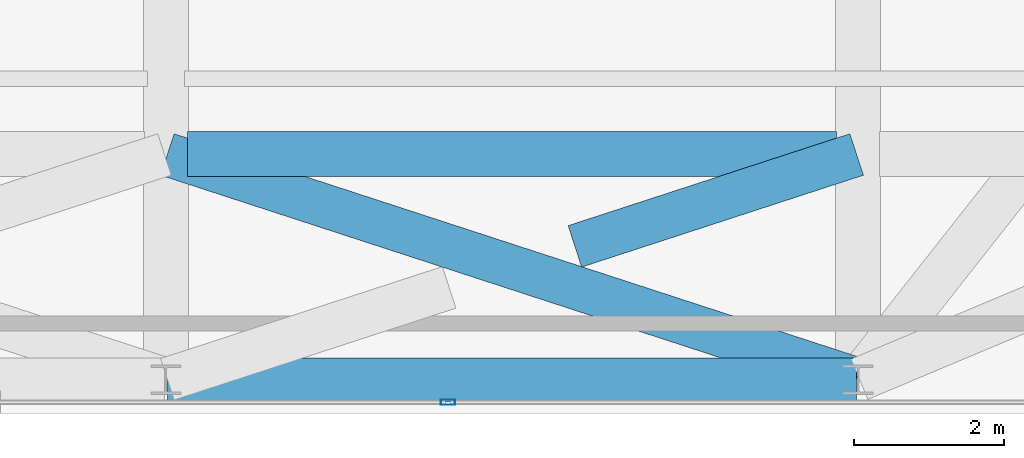
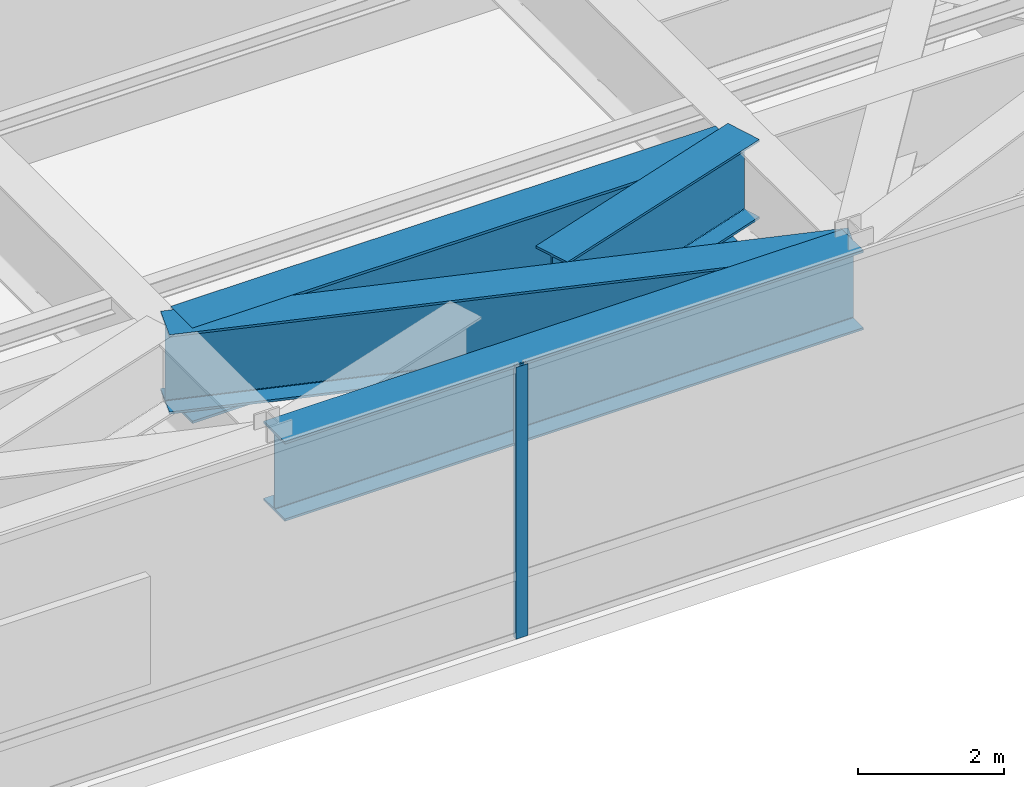
# One storey, part 12 of 32: 4 beams, 1 member, 1 element without a shape of its own.
"""IFC4 building model written with IfcOpenShell, lengths in metres."""

from ifc_helpers import new_model, si_unit, direction, frame, origin, origin_2d, place, context, subcontext, project, spatial, hollow_rectangle, i_section, extrude, source, transform, mapped, material, layer, layer_set, material_profile, profile_set, type_object, type_shapes, element, aggregate, save


model = new_model("IFC4")

# Units and contexts
model_context = context("Model", 3, precision=1e-05, world=origin(), true_north=direction((0.0, 1.0)))
body_context = subcontext(model_context, "Body", "Model", "MODEL_VIEW")
ifc_project = project(units=[si_unit("LENGTHUNIT", "METRE"), si_unit("AREAUNIT", "SQUARE_METRE"), si_unit("VOLUMEUNIT", "CUBIC_METRE"), si_unit("PLANEANGLEUNIT", "RADIAN"), si_unit("MASSUNIT", "GRAM", prefix="KILO")], contexts=[model_context])

# Site, building, storey
site_placement = place(None, origin())
site = spatial("IfcSite", under=ifc_project, at=site_placement, CompositionType="ELEMENT")
building_placement = place(site_placement, origin())
building = spatial("IfcBuilding", under=site, at=building_placement, Name="Varnel Quay Broadcast Tower", CompositionType="ELEMENT")
storey_placement = place(building_placement, frame((0.0, 0.0, 141.0)))
storey = spatial("IfcBuildingStorey", under=building, at=storey_placement, Name="L34", CompositionType="ELEMENT", Elevation=141.0)

# Beams
ifc_material_1 = material(Name="Structural Steel CSA G40.21 350WT", Category="steel")
ifc_material_profile_1 = material_profile(ifc_material_1, i_section(OverallWidth=0.580078125, OverallDepth=1.330078125, WebThickness=0.02197265625, FlangeThickness=0.0380859375, FilletRadius=0.02001953125, at=origin_2d()), Name="WWF1330X535")
ifc_profile_set_1 = profile_set([ifc_material_profile_1], Name="Structural Steel CSA G40.21 350WT")
beam_type_1 = type_object("IfcBeamType", Name="Girder_WWF1330X535", PredefinedType="BEAM", material=ifc_profile_set_1)
shared_shape_1 = source(origin(), body_context, "Body", "SweptSolid", [
    extrude(i_section(OverallWidth=0.580078125, OverallDepth=1.330078125, WebThickness=0.02197265625, FlangeThickness=0.0380859375, FilletRadius=0.02001953125, at=origin_2d()), origin(), (0.0, 0.0, 1.0), 9.159912109375),
])
beam_1_placement = place(storey_placement, frame((43.219970703125, 4.64990234375, 3.885009765625), z_axis=(1.0, 0.0, 0.0), x_axis=(0.0, 1.0, 0.0)))
element("IfcBeam", 1, at=beam_1_placement, inside=storey, type_object=beam_type_1, Name="L34 Perimeter Transfer Spine TC-S4-TC-S5", PredefinedType="BEAM", context=body_context, shape_type="MappedRepresentation", body=[
    mapped(shared_shape_1, transform((0.0, 0.0, 0.0), x_axis=(1.0, 0.0, 0.0), y_axis=(0.0, 1.0, 0.0), z_axis=(0.0, 0.0, 1.0), scale=1.0)),
])
ifc_material_profile_2 = material_profile(ifc_material_1, i_section(OverallWidth=0.60009765625, OverallDepth=1.60009765625, WebThickness=0.02392578125, FlangeThickness=0.0419921875, FilletRadius=0.02197265625, at=origin_2d()), Name="WWF1600X620")
ifc_profile_set_2 = profile_set([ifc_material_profile_2], Name="Structural Steel CSA G40.21 350WT")
beam_type_2 = type_object("IfcBeamType", Name="Girder_WWF1600X620", PredefinedType="BEAM", material=ifc_profile_set_2)
shared_shape_2 = source(origin(), body_context, "Body", "SweptSolid", [
    extrude(i_section(OverallWidth=0.60009765625, OverallDepth=1.60009765625, WebThickness=0.02392578125, FlangeThickness=0.0419921875, FilletRadius=0.02197265625, at=origin_2d()), origin(), (0.0, 0.0, 1.0), 8.6298828125),
])
type_shapes(beam_type_2, [shared_shape_2])
beam_2_placement = place(storey_placement, frame((43.485107421875, 7.64990234375, 3.75), z_axis=(1.0, 0.0, 0.0), x_axis=(0.0, 1.0, 0.0)))
element("IfcBeam", 2, at=beam_2_placement, inside=storey, type_object=beam_type_2, Name="L34 Setback South Transfer Header 5", PredefinedType="BEAM", context=body_context, shape_type="MappedRepresentation", body=[
    mapped(shared_shape_2, transform((0.0, 0.0, 0.0), x_axis=(1.0, 0.0, 0.0), y_axis=(0.0, 1.0, 0.0), z_axis=(0.0, 0.0, 1.0), scale=1.0)),
])
shared_shape_3 = source(origin(), body_context, "Body", "SweptSolid", [
    extrude(i_section(OverallWidth=0.580078125, OverallDepth=1.330078125, WebThickness=0.02197265625, FlangeThickness=0.0380859375, FilletRadius=0.02001953125, at=origin_2d()), origin(), (0.0, 0.0, 1.0), 9.636962890625),
])
beam_3_placement = place(storey_placement, frame((52.381103515625, 4.65625, 3.885009765625), z_axis=(-0.95073276134, 0.310011639323, 0.0), x_axis=(-0.310011639323, -0.95073276134, 0.0)))
element("IfcBeam", 3, at=beam_3_placement, inside=storey, type_object=beam_type_1, Name="L34 X-Braced Transfer Tie TC-S4-TC-S5", PredefinedType="BEAM", context=body_context, shape_type="MappedRepresentation", body=[
    mapped(shared_shape_3, transform((0.0, 0.0, 0.0), x_axis=(1.0, 0.0, 0.0), y_axis=(0.0, 1.0, 0.0), z_axis=(0.0, 0.0, 1.0), scale=1.0)),
])
shared_shape_4 = source(origin(), body_context, "Body", "SweptSolid", [
    extrude(i_section(OverallWidth=0.580078125, OverallDepth=1.330078125, WebThickness=0.02197265625, FlangeThickness=0.0380859375, FilletRadius=0.02001953125, at=origin_2d()), origin(), (0.0, 0.0, 1.0), 3.939453125),
])
type_shapes(beam_type_1, [shared_shape_1, shared_shape_3, shared_shape_4])
beam_4_placement = place(storey_placement, frame((48.6357421875, 6.422607421875, 3.885009765625), z_axis=(0.950738972318, 0.309992591065, 0.0), x_axis=(-0.309992591065, 0.950738972318, 0.0)))
element("IfcBeam", 4, at=beam_4_placement, inside=storey, type_object=beam_type_1, Name="L34 X-Braced Transfer Tie TC-S5-TC-S4 Part 2", PredefinedType="BEAM", context=body_context, shape_type="MappedRepresentation", body=[
    mapped(shared_shape_4, transform((0.0, 0.0, 0.0), x_axis=(1.0, 0.0, 0.0), y_axis=(0.0, 1.0, 0.0), z_axis=(0.0, 0.0, 1.0), scale=1.0)),
])

# Curtain wall, member
ifc_material_2 = material(Name="Anodised Bronze Aluminium 6063-T6", Category="aluminium")
ifc_layer = layer(ifc_material_2, 0.18994140625, Name="Anodised Bronze Aluminium 6063-T6")
ifc_layer_set = layer_set([ifc_layer], Name="Anodised Bronze Aluminium 6063-T6")
curtain_wall_type = type_object("IfcCurtainWallType", Name="CW_LowerTower", PredefinedType="NOTDEFINED", material=ifc_layer_set)
curtain_wall_placement = place(storey_placement, origin())
curtain_wall = element("IfcCurtainWall", 5, at=curtain_wall_placement, inside=storey, type_object=curtain_wall_type, Name="L34 South Unitised Curtain Wall 1", PredefinedType="NOTDEFINED")
ifc_material_profile_3 = material_profile(ifc_material_2, hollow_rectangle(XDim=0.070068359375, YDim=0.18994140625, WallThickness=0.00390625, at=origin_2d()), Name="ALU70X190X4")
ifc_profile_set_3 = profile_set([ifc_material_profile_3], Name="Anodised Bronze Aluminium 6063-T6")
member_type = type_object("IfcMemberType", Name="Mull_CWS-02", PredefinedType="MULLION", material=ifc_profile_set_3)
shared_shape_5 = source(origin(), body_context, "Body", "SweptSolid", [
    extrude(hollow_rectangle(XDim=0.070068359375, YDim=0.18994140625, WallThickness=0.00390625, at=origin_2d()), origin(), (0.0, 0.0, 1.0), 4.550048828125),
])
type_shapes(member_type, [shared_shape_5])
member_placement = place(storey_placement, frame((46.949951171875, 4.35009765625, 0.0), z_axis=(0.0, 0.0, 1.0), x_axis=(0.0, 1.0, 0.0)))
member = element("IfcMember", 6, at=member_placement, type_object=member_type, Name="CWS-02 mullion 4", PredefinedType="MULLION", context=body_context, shape_type="MappedRepresentation", body=[
    mapped(shared_shape_5, transform((0.0, 0.0, 0.0), x_axis=(1.0, 0.0, 0.0), y_axis=(0.0, 1.0, 0.0), z_axis=(0.0, 0.0, 1.0), scale=1.0)),
])
aggregate(curtain_wall, [member])

save(model, "model.ifc")
